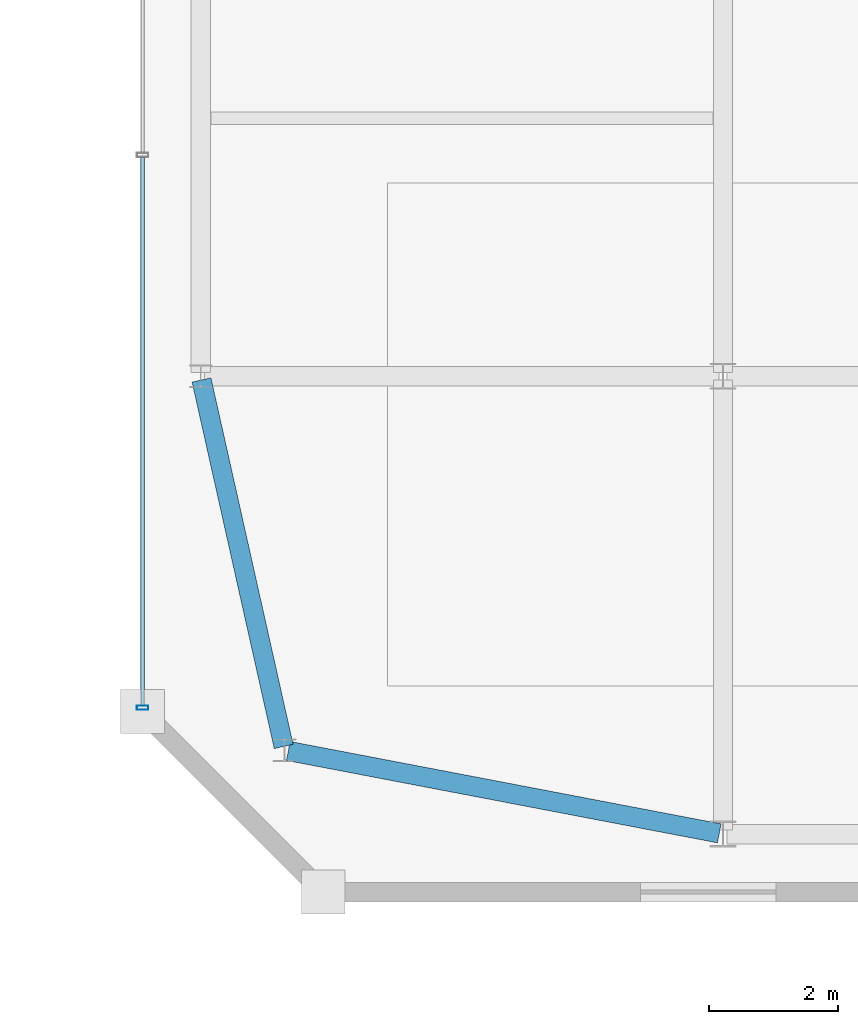
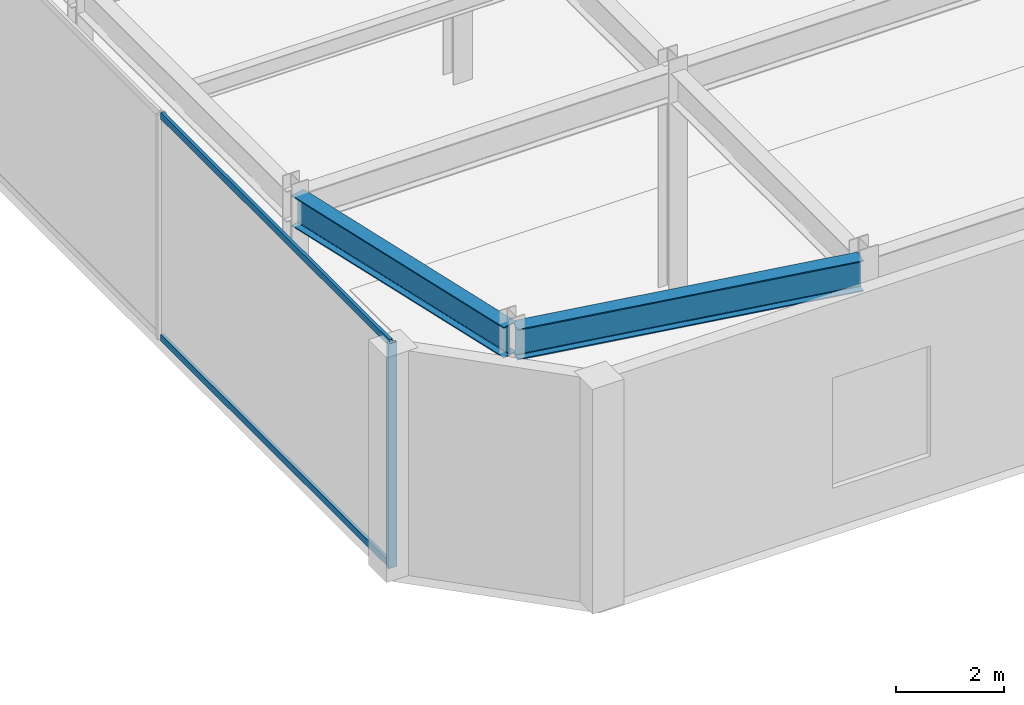
# One storey, part 32 of 51: 3 members, 2 beams, 1 element without a shape of its own.
"""IFC4 building model written with IfcOpenShell, lengths in metres."""

import ifcopenshell
import ifcopenshell.guid

model = None  # the IFC model being written
_history = None  # IfcOwnerHistory: only IFC2X3 demands one
_inside = {}  # id of a spatial element -> (the spatial element, [elements in it])
_under = {}  # id of a project, library or spatial element -> (it, [spatial elements below it])
_declared = {}  # id of a project -> (the project, [libraries it declares])
_typed = {}  # id of a type object -> (the type object, [elements of that type])
_made_of = {}  # id of a material, layer set ... -> (it, [elements and type objects made of it])


def new_model(schema):
    """Start an empty IFC model of exactly this schema.

    Asked for "IFC4X3", IfcOpenShell would pick the latest addendum, in which some entities
    have other attributes; the version numbers below select the first issue.
    IFC2X3 requires an IfcOwnerHistory on every rooted entity: one is made here for all.
    """
    global model, _history
    if schema == "IFC4X3":
        model = ifcopenshell.file(schema_version=(4, 3, 0, 0))
    else:
        model = ifcopenshell.file(schema=schema)
    _inside.clear()
    _under.clear()
    _declared.clear()
    _typed.clear()
    _made_of.clear()
    _history = None
    if model.schema == "IFC2X3":
        org = make("IfcOrganization", Name="unknown")
        user = make(
            "IfcPersonAndOrganization",
            ThePerson=make("IfcPerson", FamilyName="unknown"),
            TheOrganization=org,
        )
        app = make(
            "IfcApplication",
            ApplicationDeveloper=org,
            Version="unknown",
            ApplicationFullName="unknown",
            ApplicationIdentifier="unknown",
        )
        _history = make(
            "IfcOwnerHistory",
            OwningUser=user,
            OwningApplication=app,
            ChangeAction="ADDED",
            CreationDate=0,
        )
    return model


def make(cls, **values):
    """One entity of the class cls with the attributes given. An attribute that is None is left unset."""
    return model.create_entity(
        cls, **{name: value for name, value in values.items() if value is not None}
    )


def rooted(cls, **values):
    """An entity with a GlobalId (a new one), such as an element, a storey or a relation."""
    return make(cls, GlobalId=ifcopenshell.guid.new(), OwnerHistory=_history, **values)


def si_unit(unit_type, name, prefix=None):
    """IfcSIUnit, for example si_unit("LENGTHUNIT", "METRE", prefix="MILLI")."""
    return make("IfcSIUnit", UnitType=unit_type, Prefix=prefix, Name=name)


def assignment(units):
    """IfcUnitAssignment: the units of a project."""
    return None if units is None else make("IfcUnitAssignment", Units=units)


def point(xyz):
    """IfcCartesianPoint."""
    return None if xyz is None else make("IfcCartesianPoint", Coordinates=xyz)


def direction(xyz):
    """IfcDirection."""
    return None if xyz is None else make("IfcDirection", DirectionRatios=xyz)


def frame(location, z_axis=None, x_axis=None):
    """IfcAxis2Placement3D, a coordinate frame: its origin and axes. An axis left out is left unset."""
    return make(
        "IfcAxis2Placement3D",
        Location=point(location),
        Axis=direction(z_axis),
        RefDirection=direction(x_axis),
    )


def frame_2d(location, x_axis=None):
    """IfcAxis2Placement2D, a coordinate frame in the plane: its origin and x axis."""
    return make(
        "IfcAxis2Placement2D", Location=point(location), RefDirection=direction(x_axis)
    )


def origin():
    """The frame at (0, 0, 0) with its axes left unset."""
    return frame((0.0, 0.0, 0.0))


def origin_2d():
    """The frame at (0, 0) in the plane with its x axis left unset."""
    return frame_2d((0.0, 0.0))


def place(relative_to, where):
    """IfcLocalPlacement: puts the frame where relative to a parent placement (None: the world)."""
    return make(
        "IfcLocalPlacement", PlacementRelTo=relative_to, RelativePlacement=where
    )


def context(
    kind, dimensions, precision=None, world=None, true_north=None, identifier=None
):
    """IfcGeometricRepresentationContext, for example the 3D "Model" context."""
    return make(
        "IfcGeometricRepresentationContext",
        ContextIdentifier=identifier,
        ContextType=kind,
        CoordinateSpaceDimension=dimensions,
        Precision=precision,
        WorldCoordinateSystem=world,
        TrueNorth=true_north,
    )


def subcontext(parent, identifier, kind, view, scale=None):
    """IfcGeometricRepresentationSubContext, for example "Body" below "Model"."""
    return make(
        "IfcGeometricRepresentationSubContext",
        ContextIdentifier=identifier,
        ContextType=kind,
        ParentContext=parent,
        TargetScale=scale,
        TargetView=view,
    )


def project(units=None, contexts=None):
    """IfcProject with its units and contexts."""
    return rooted(
        "IfcProject",
        Name="project",
        RepresentationContexts=contexts,
        UnitsInContext=assignment(units),
    )


def spatial(cls, under=None, at=None, **own):
    """A site, building, storey or space (cls), placed at a placement, below another one or the project."""
    s = rooted(cls, ObjectPlacement=at, **own)
    if under is not None:
        _under.setdefault(under.id(), (under, []))[1].append(s)
    return s


def profile(cls, at=None, kind="AREA", **sizes):
    """A parametric profile (cls). Its sizes go by their IFC names, for example OverallWidth=200.0."""
    return make(cls, ProfileType=kind, Position=at, **sizes)


def hollow_rectangle(**sizes):
    """IfcRectangleHollowProfileDef."""
    return profile("IfcRectangleHollowProfileDef", **sizes)


def i_section(**sizes):
    """IfcIShapeProfileDef."""
    return profile("IfcIShapeProfileDef", **sizes)


def extrude(swept, where, along, depth):
    """IfcExtrudedAreaSolid: the profile swept, set in the frame where, extruded along a direction by depth."""
    return make(
        "IfcExtrudedAreaSolid",
        SweptArea=swept,
        Position=where,
        ExtrudedDirection=direction(along),
        Depth=depth,
    )


def shape(context_of_items, identifier, shape_type, items):
    """IfcShapeRepresentation: the items that make up one representation, for example the "Body"."""
    return make(
        "IfcShapeRepresentation",
        ContextOfItems=context_of_items,
        RepresentationIdentifier=identifier,
        RepresentationType=shape_type,
        Items=items,
    )


def material(Name=None, Category=None):
    """IfcMaterial."""
    return make("IfcMaterial", Name=Name, Category=Category)


def material_profile(
    of_material, cross_section, Name=None, Category=None, Priority=None
):
    """IfcMaterialProfile: a cross section and its material."""
    return make(
        "IfcMaterialProfile",
        Name=Name,
        Material=of_material,
        Profile=cross_section,
        Priority=Priority,
        Category=Category,
    )


def profile_set(profiles, Name=None, composite=None):
    """IfcMaterialProfileSet."""
    return make(
        "IfcMaterialProfileSet",
        Name=Name,
        MaterialProfiles=profiles,
        CompositeProfile=composite,
    )


def made_of(thing, what):
    """Note that an element or type object is made of a material, layer set ...; save() writes the relation."""
    if what is not None:
        _made_of.setdefault(what.id(), (what, []))[1].append(thing)
    return thing


def type_object(cls, material=None, **own):
    """A type object (cls), such as IfcWallType, which elements share."""
    return made_of(rooted(cls, **own), material)


def element(
    cls,
    number,
    at=None,
    inside=None,
    cuts=None,
    type_object=None,
    material=None,
    context=None,
    identifier="Body",
    shape_type=None,
    held_by="IfcProductDefinitionShape",
    body=None,
    shapes=None,
    **own,
):
    """One element of the class cls, such as IfcWall. Its Tag is "e" and its number.

    at: its placement. inside: the storey or other place that contains it. cuts: it is an
    opening in that element (IfcRelVoidsElement). A single representation is given by context,
    identifier, shape_type and body (its items); several are given by shapes. held_by: the class
    of the entity that holds the representations. save() writes the other relations.
    """
    e = rooted(cls, Tag="e%d" % number, ObjectPlacement=at, **own)
    if body is not None:
        shapes = [shape(context, identifier, shape_type, body)]
    if shapes is not None:
        e.Representation = make(held_by, Representations=shapes)
    if inside is not None:
        _inside.setdefault(inside.id(), (inside, []))[1].append(e)
    if cuts is not None:
        rooted(
            "IfcRelVoidsElement", RelatingBuildingElement=cuts, RelatedOpeningElement=e
        )
    if type_object is not None:
        _typed.setdefault(type_object.id(), (type_object, []))[1].append(e)
    return made_of(e, material)


def aggregate(whole, parts):
    """IfcRelAggregates: a whole, such as a stair, and the parts it consists of."""
    return rooted("IfcRelAggregates", RelatingObject=whole, RelatedObjects=parts)


def save(model, path):
    """Write the relations noted so far, then the file.

    IfcRelAggregates (storeys below a building ...), IfcRelContainedInSpatialStructure (elements
    in a storey), IfcRelDefinesByType, IfcRelAssociatesMaterial and IfcRelDeclares: one each for
    every whole, place, type object, material and project.
    """
    for whole, parts in _under.values():
        aggregate(whole, parts)
    for where, things in _inside.values():
        rooted(
            "IfcRelContainedInSpatialStructure",
            RelatedElements=things,
            RelatingStructure=where,
        )
    for kind, things in _typed.values():
        rooted("IfcRelDefinesByType", RelatedObjects=things, RelatingType=kind)
    for what, things in _made_of.values():
        rooted("IfcRelAssociatesMaterial", RelatedObjects=things, RelatingMaterial=what)
    for by, libraries in _declared.values():
        rooted("IfcRelDeclares", RelatingContext=by, RelatedDefinitions=libraries)
    model.write(path)


model = new_model("IFC4")

# Units and contexts
model_context = context("Model", 3, precision=1e-05, world=origin(), true_north=direction((0.0, 1.0)))
body_context = subcontext(model_context, "Body", "Model", "MODEL_VIEW")
ifc_project = project(units=[si_unit("LENGTHUNIT", "METRE"), si_unit("AREAUNIT", "SQUARE_METRE"), si_unit("VOLUMEUNIT", "CUBIC_METRE"), si_unit("PLANEANGLEUNIT", "RADIAN"), si_unit("MASSUNIT", "GRAM", prefix="KILO")], contexts=[model_context])

# Site, building, storey
site_placement = place(None, origin())
site = spatial("IfcSite", under=ifc_project, at=site_placement, CompositionType="ELEMENT")
building_placement = place(site_placement, origin())
building = spatial("IfcBuilding", under=site, at=building_placement, Name="Saevonmaru Cultural Tower", CompositionType="ELEMENT")
storey_placement = place(building_placement, frame((0.0, 0.0, 6.0)))
storey = spatial("IfcBuildingStorey", under=building, at=storey_placement, Name="L01", CompositionType="ELEMENT", Elevation=6.0)

# Beams
ifc_material_1 = material(Name="Steel SM355", Category="steel")
ifc_material_profile_1 = material_profile(ifc_material_1, i_section(OverallWidth=0.300048828125, OverallDepth=0.699951171875, WebThickness=0.012939453125, FlangeThickness=0.02392578125, FilletRadius=0.02587890625, at=origin_2d()), Name="H-700x300x13x24")
ifc_profile_set_1 = profile_set([ifc_material_profile_1], Name="Steel SM355")
beam_type = type_object("IfcBeamType", Name="BM-G-H700", PredefinedType="BEAM", material=ifc_profile_set_1)
beam_1_placement = place(storey_placement, frame((74.458984375, 10.188720703125, 4.75), z_axis=(0.982215224342, -0.187758496666, 0.0), x_axis=(0.187758496666, 0.982215224342, 0.0)))
element("IfcBeam", 1, at=beam_1_placement, inside=storey, type_object=beam_type, Name="L01 Library Girder EW-1-1", PredefinedType="BEAM", context=body_context, shape_type="SweptSolid", body=[
    extrude(i_section(OverallWidth=0.300048828125, OverallDepth=0.699951171875, WebThickness=0.012939453125, FlangeThickness=0.02392578125, FilletRadius=0.02587890625, at=origin_2d()), origin(), (0.0, 0.0, 1.0), 6.80322265625),
])
beam_2_placement = place(storey_placement, frame((74.386962890625, 10.258544921875, 4.75), z_axis=(-0.218741049138, 0.975782943806, 0.0), x_axis=(-0.975782943806, -0.218741049138, 0.0)))
element("IfcBeam", 2, at=beam_2_placement, inside=storey, type_object=beam_type, Name="L01 Library Girder NS-1-1", PredefinedType="BEAM", context=body_context, shape_type="SweptSolid", body=[
    extrude(i_section(OverallWidth=0.300048828125, OverallDepth=0.699951171875, WebThickness=0.012939453125, FlangeThickness=0.02392578125, FilletRadius=0.02587890625, at=origin_2d()), origin(), (0.0, 0.0, 1.0), 5.823974609375),
])

# Curtain wall, members
ifc_material_2 = material(Name="Satin Bronze Anodised Aluminium", Category="aluminium")
curtain_wall_type = type_object("IfcCurtainWallType", Name="CW-LIB-GLZ", PredefinedType="NOTDEFINED", material=ifc_material_2)
curtain_wall_placement = place(storey_placement, origin())
curtain_wall = element("IfcCurtainWall", 3, at=curtain_wall_placement, inside=storey, type_object=curtain_wall_type, Name="L01 Central Library Reading Hall Curtain Wall 8", PredefinedType="NOTDEFINED")
ifc_material_profile_2 = material_profile(ifc_material_2, hollow_rectangle(XDim=0.06494140625, YDim=0.179931640625, WallThickness=0.00390625, at=origin_2d()), Name="ALU-MULL-180x65x4")
ifc_profile_set_2 = profile_set([ifc_material_profile_2], Name="Satin Bronze Anodised Aluminium")
member_type_1 = type_object("IfcMemberType", Name="ML-CW-180x65", PredefinedType="MULLION", material=ifc_profile_set_2)
member_1_placement = place(storey_placement, frame((72.199951171875, 10.860107421875, 0.0), z_axis=(0.0, 0.0, 1.0), x_axis=(0.0, -1.0, 0.0)))
member_1 = element("IfcMember", 4, at=member_1_placement, type_object=member_type_1, Name="CW-LIB-8-L01 mullion 5", PredefinedType="MULLION", context=body_context, shape_type="SweptSolid", body=[
    extrude(hollow_rectangle(XDim=0.06494140625, YDim=0.179931640625, WallThickness=0.00390625, at=origin_2d()), origin(), (0.0, 0.0, 1.0), 5.10009765625),
])
ifc_material_profile_3 = material_profile(ifc_material_2, hollow_rectangle(XDim=0.06494140625, YDim=0.14990234375, WallThickness=0.00390625, at=origin_2d()), Name="ALU-TRAN-150x65x4")
ifc_profile_set_3 = profile_set([ifc_material_profile_3], Name="Satin Bronze Anodised Aluminium")
member_type_2 = type_object("IfcMemberType", Name="TR-CW-150x65", PredefinedType="USERDEFINED", material=ifc_profile_set_3)
member_2_placement = place(storey_placement, frame((72.199951171875, 19.3974609375, 0.032470703125), z_axis=(0.0, -1.0, 0.0), x_axis=(1.0, 0.0, 0.0)))
member_2 = element("IfcMember", 5, at=member_2_placement, type_object=member_type_2, Name="CW-LIB-8-L01 transom 4.1", ObjectType="TRANSOM", PredefinedType="USERDEFINED", context=body_context, shape_type="SweptSolid", body=[
    extrude(hollow_rectangle(XDim=0.06494140625, YDim=0.14990234375, WallThickness=0.00390625, at=origin_2d()), origin(), (0.0, 0.0, 1.0), 8.5048828125),
])
member_3_placement = place(storey_placement, frame((72.199951171875, 19.3974609375, 5.0673828125), z_axis=(0.0, -1.0, 0.0), x_axis=(1.0, 0.0, 0.0)))
member_3 = element("IfcMember", 6, at=member_3_placement, type_object=member_type_2, Name="CW-LIB-8-L01 transom 4.2", ObjectType="TRANSOM", PredefinedType="USERDEFINED", context=body_context, shape_type="SweptSolid", body=[
    extrude(hollow_rectangle(XDim=0.06494140625, YDim=0.14990234375, WallThickness=0.00390625, at=origin_2d()), origin(), (0.0, 0.0, 1.0), 8.5048828125),
])
aggregate(curtain_wall, [member_1, member_2, member_3])

save(model, "model.ifc")
